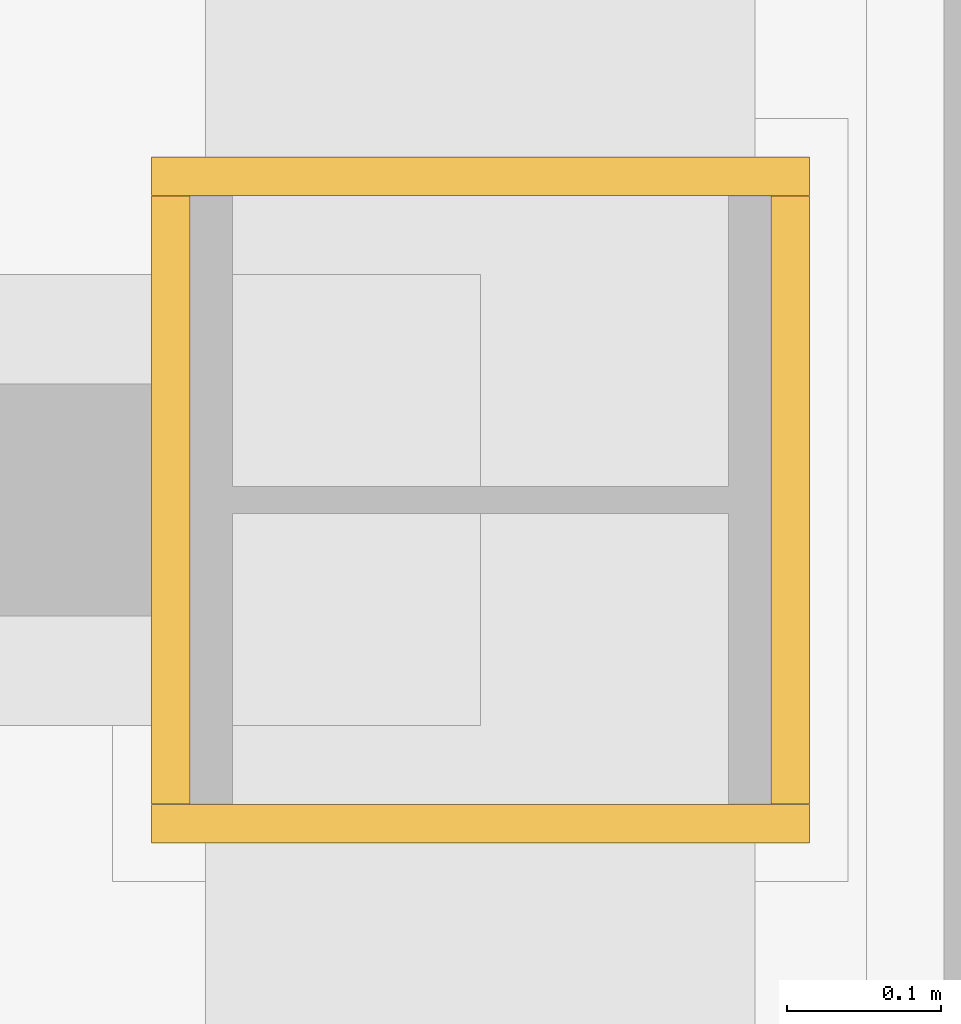
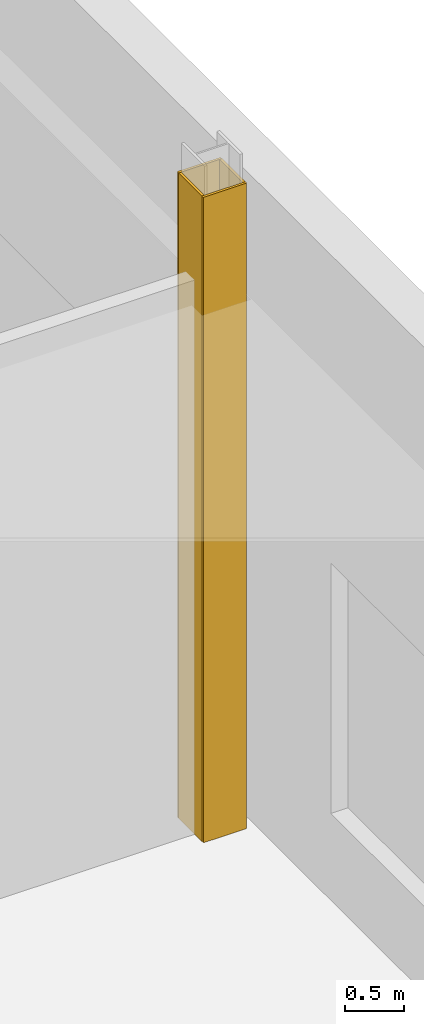
# One storey, part 29 of 32: 4 coverings.
"""IFC4 building model written with IfcOpenShell, lengths in metres."""

from ifc_helpers import new_model, si_unit, direction, frame, origin, origin_2d, place, context, subcontext, project, spatial, rectangle, extrude, material, layer, layer_set, type_object, element, save


model = new_model("IFC4")

# Units and contexts
model_context = context("Model", 3, precision=1e-05, world=origin(), true_north=direction((0.0, 1.0)))
body_context = subcontext(model_context, "Body", "Model", "MODEL_VIEW")
ifc_project = project(units=[si_unit("LENGTHUNIT", "METRE"), si_unit("AREAUNIT", "SQUARE_METRE"), si_unit("VOLUMEUNIT", "CUBIC_METRE"), si_unit("PLANEANGLEUNIT", "RADIAN"), si_unit("MASSUNIT", "GRAM", prefix="KILO")], contexts=[model_context])

# Site, building, storey
site_placement = place(None, origin())
site = spatial("IfcSite", under=ifc_project, at=site_placement, CompositionType="ELEMENT")
building_placement = place(site_placement, origin())
building = spatial("IfcBuilding", under=site, at=building_placement, Name="Loomwork Tower", CompositionType="ELEMENT")
storey_placement = place(building_placement, frame((0.0, 0.0, 16.0)))
storey = spatial("IfcBuildingStorey", under=building, at=storey_placement, Name="L03", CompositionType="ELEMENT", Elevation=16.0)

# Coverings
ifc_material = material(Name="Two-hour fire-rated gypsum board casing")
ifc_layer = layer(ifc_material, 0.02490234375)
ifc_layer_set = layer_set([ifc_layer], Name="Column fire casing 25")
covering_type = type_object("IfcCoveringType", Name="Column fire casing 25", PredefinedType="CLADDING", material=ifc_layer_set)
for number, where, z_axis, x_axis, name in (
    (1, (63.0, 27.20947265625, 0.0), (0.0, 0.0, 1.0), (1.0, 0.0, 0.0), "Column casing 63 27 L03"),
    (2, (63.0, 26.79052734375, 0.0), (0.0, 0.0, 1.0), (1.0, 0.0, 0.0), "Column casing 63 27 L03"),
):
    element("IfcCovering", number, at=place(storey_placement, frame(where, z_axis=z_axis, x_axis=x_axis)), inside=storey, type_object=covering_type, Name=name, PredefinedType="CLADDING", context=body_context, shape_type="SweptSolid", body=[
        extrude(rectangle(XDim=0.42578125, YDim=0.02490234375, at=origin_2d()), origin(), (0.0, 0.0, 1.0), 6.699951171875),
    ])
for number, where, z_axis, x_axis, name in (
    (3, (63.200439453125, 27.0, 0.0), (0.0, 0.0, 1.0), (1.0, 0.0, 0.0), "Column casing 63 27 L03"),
    (4, (62.799560546875, 27.0, 0.0), (0.0, 0.0, 1.0), (1.0, 0.0, 0.0), "Column casing 63 27 L03"),
):
    element("IfcCovering", number, at=place(storey_placement, frame(where, z_axis=z_axis, x_axis=x_axis)), inside=storey, type_object=covering_type, Name=name, PredefinedType="CLADDING", context=body_context, shape_type="SweptSolid", body=[
        extrude(rectangle(XDim=0.02490234375, YDim=0.393798828125, at=origin_2d()), origin(), (0.0, 0.0, 1.0), 6.699951171875),
    ])

save(model, "model.ifc")
